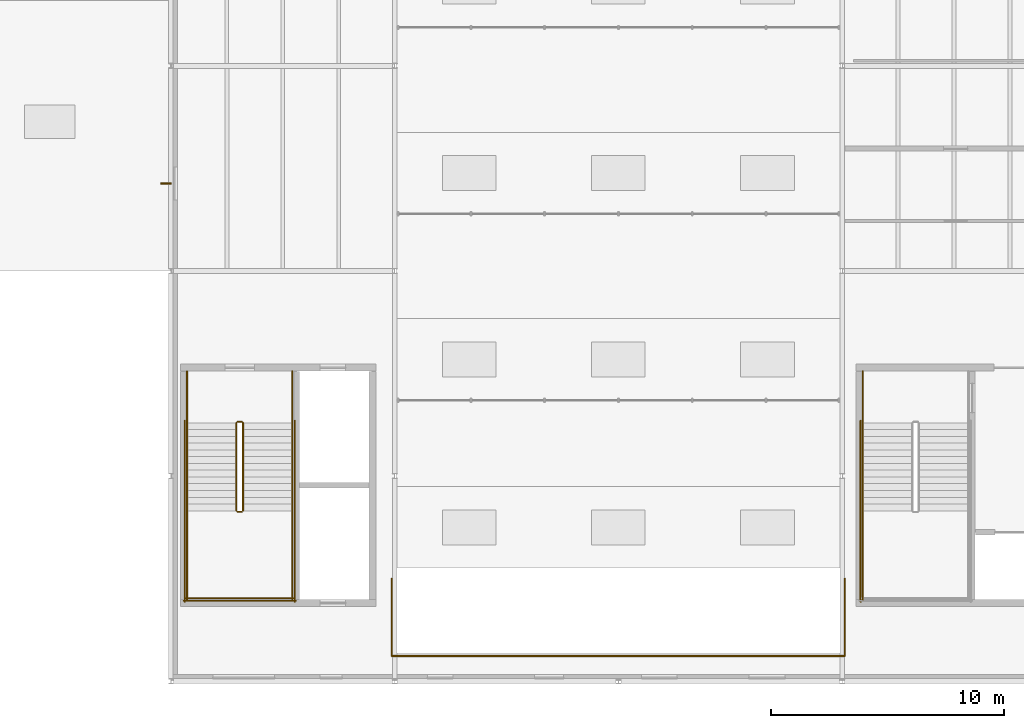
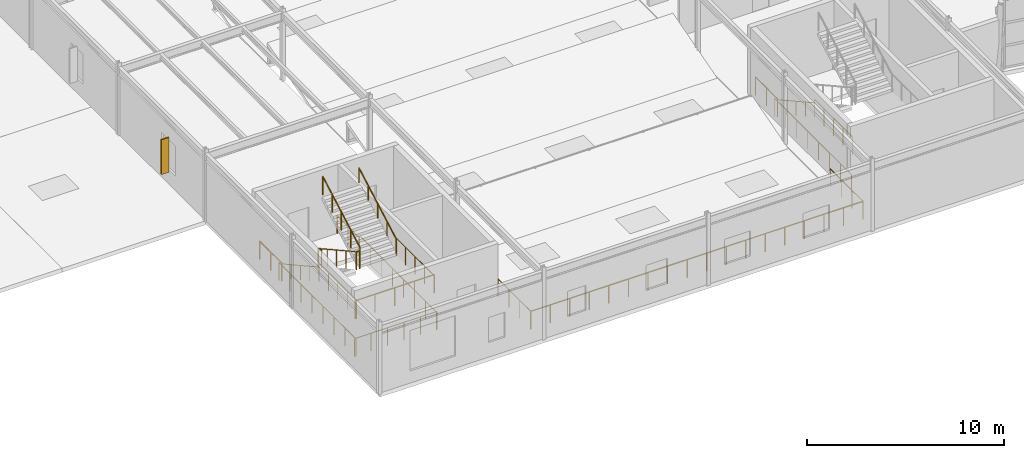
# One storey, part 45 of 50: 21 railings, 1 shading device.
"""IFC4 building model written with IfcOpenShell, lengths in metres."""

from ifc_helpers import new_model, si_unit, direction, frame, origin, origin_2d, place, context, subcontext, project, spatial, rectangle, circle, extrude, material, layer, layer_set, type_object, element, save


model = new_model("IFC4")

# Units and contexts
model_context = context("Model", 3, precision=1e-05, world=origin(), true_north=direction((0.0, 1.0)))
body_context = subcontext(model_context, "Body", "Model", "MODEL_VIEW")
ifc_project = project(units=[si_unit("LENGTHUNIT", "METRE"), si_unit("AREAUNIT", "SQUARE_METRE"), si_unit("VOLUMEUNIT", "CUBIC_METRE"), si_unit("PLANEANGLEUNIT", "RADIAN"), si_unit("MASSUNIT", "GRAM", prefix="KILO")], contexts=[model_context])

# Site, building, storey
site_placement = place(None, origin())
site = spatial("IfcSite", under=ifc_project, at=site_placement, CompositionType="ELEMENT")
building_placement = place(site_placement, origin())
building = spatial("IfcBuilding", under=site, at=building_placement, Name="Sarnbrook Museum", CompositionType="ELEMENT")
storey_placement = place(building_placement, frame((0.0, 0.0, 28.10009765625)))
storey = spatial("IfcBuildingStorey", under=building, at=storey_placement, Name="L05", CompositionType="ELEMENT", Elevation=28.10009765625)

# Railings
ifc_material_1 = material(Name="Brushed Stainless Steel Grade 316", Category="steel")
ifc_layer_1 = layer(ifc_material_1, 0.050048828125)
ifc_layer_set_1 = layer_set([ifc_layer_1], Name="Brushed Stainless Steel Grade 316")
railing_type_1 = type_object("IfcRailingType", Name="Guard_Int1120", PredefinedType="BALUSTRADE", material=ifc_layer_set_1)
railing_1_placement = place(storey_placement, frame((110.489990234375, 64.110107421875, 2.25)))
element("IfcRailing", 1, at=railing_1_placement, inside=storey, type_object=railing_type_1, Name="L05 ST1 stair guard 3", PredefinedType="BALUSTRADE", context=body_context, shape_type="SweptSolid", body=[
    extrude(circle(Radius=0.02392578125, at=origin_2d()), frame((0.0, 0.0, 1.09619140625), z_axis=(0.0, -1.0, 0.0), x_axis=(1.0, 0.0, 0.0)), (0.0, 0.0, 1.0), 3.81005859375),
    extrude(circle(Radius=0.02099609375, at=origin_2d()), origin(), (0.0, 0.0, 1.0), 1.072021484375),
    extrude(circle(Radius=0.02099609375, at=origin_2d()), frame((0.0, -0.95263671875, 0.0)), (0.0, 0.0, 1.0), 1.072021484375),
    extrude(circle(Radius=0.02099609375, at=origin_2d()), frame((0.0, -1.905029296875, 0.0)), (0.0, 0.0, 1.0), 1.072021484375),
    extrude(circle(Radius=0.02099609375, at=origin_2d()), frame((0.0, -2.857421875, 0.0)), (0.0, 0.0, 1.0), 1.072021484375),
    extrude(circle(Radius=0.02099609375, at=origin_2d()), frame((0.0, -3.81005859375, 0.0)), (0.0, 0.0, 1.0), 1.072021484375),
])
railing_2_placement = place(storey_placement, frame((110.489990234375, 70.10009765625, 0.0)))
element("IfcRailing", 2, at=railing_2_placement, inside=storey, type_object=railing_type_1, Name="L05 ST1 stair guard 8", PredefinedType="BALUSTRADE", context=body_context, shape_type="SweptSolid", body=[
    extrude(circle(Radius=0.02392578125, at=origin_2d()), frame((0.0, 0.0, 1.09619140625), z_axis=(0.0, -1.0, 0.0), x_axis=(1.0, 0.0, 0.0)), (0.0, 0.0, 1.0), 2.22021484375),
    extrude(circle(Radius=0.02099609375, at=origin_2d()), origin(), (0.0, 0.0, 1.0), 1.072021484375),
    extrude(circle(Radius=0.02099609375, at=origin_2d()), frame((0.0, -1.110107421875, 0.0)), (0.0, 0.0, 1.0), 1.072021484375),
    extrude(circle(Radius=0.02099609375, at=origin_2d()), frame((0.0, -2.22021484375, 0.0)), (0.0, 0.0, 1.0), 1.072021484375),
])
railing_3_placement = place(storey_placement, frame((110.389892578125, 67.97998046875, 0.0)))
element("IfcRailing", 3, at=railing_3_placement, inside=storey, type_object=railing_type_1, Name="L05 ST1 stair guard 10", PredefinedType="BALUSTRADE", context=body_context, shape_type="SweptSolid", body=[
    extrude(circle(Radius=0.02392578125, at=origin_2d()), frame((0.0, 0.0, 1.09619140625), z_axis=(0.0, -1.0, 0.0), x_axis=(1.0, 0.0, 0.0)), (0.0, 0.0, 1.0), 7.780029296875),
    extrude(circle(Radius=0.02099609375, at=origin_2d()), origin(), (0.0, 0.0, 1.0), 1.072021484375),
    extrude(circle(Radius=0.02099609375, at=origin_2d()), frame((0.0, -1.111328125, 0.0)), (0.0, 0.0, 1.0), 1.072021484375),
    extrude(circle(Radius=0.02099609375, at=origin_2d()), frame((0.0, -2.222900390625, 0.0)), (0.0, 0.0, 1.0), 1.072021484375),
    extrude(circle(Radius=0.02099609375, at=origin_2d()), frame((0.0, -3.334228515625, 0.0)), (0.0, 0.0, 1.0), 1.072021484375),
    extrude(circle(Radius=0.02099609375, at=origin_2d()), frame((0.0, -4.44580078125, 0.0)), (0.0, 0.0, 1.0), 1.072021484375),
    extrude(circle(Radius=0.02099609375, at=origin_2d()), frame((0.0, -5.55712890625, 0.0)), (0.0, 0.0, 1.0), 1.072021484375),
    extrude(circle(Radius=0.02099609375, at=origin_2d()), frame((0.0, -6.668701171875, 0.0)), (0.0, 0.0, 1.0), 1.072021484375),
    extrude(circle(Radius=0.02099609375, at=origin_2d()), frame((0.0, -7.780029296875, 0.0)), (0.0, 0.0, 1.0), 1.072021484375),
])
railing_4_placement = place(storey_placement, frame((83.610107421875, 67.8798828125, 0.16064453125)))
element("IfcRailing", 4, at=railing_4_placement, inside=storey, type_object=railing_type_1, Name="L05 ST3 stair guard 1", PredefinedType="BALUSTRADE", context=body_context, shape_type="SweptSolid", body=[
    extrude(circle(Radius=0.02392578125, at=origin_2d()), frame((0.0, 0.0, 1.09619140625), z_axis=(0.0, -0.874645791573, 0.484762559697), x_axis=(1.0, 0.0, 0.0)), (0.0, 0.0, 1.0), 4.31005859375),
    extrude(circle(Radius=0.02099609375, at=origin_2d()), origin(), (0.0, 0.0, 1.0), 1.072021484375),
    extrude(circle(Radius=0.02099609375, at=origin_2d()), frame((0.0, -0.9423828125, 0.5224609375)), (0.0, 0.0, 1.0), 1.072021484375),
    extrude(circle(Radius=0.02099609375, at=origin_2d()), frame((0.0, -1.884765625, 1.044677734375)), (0.0, 0.0, 1.0), 1.072021484375),
    extrude(circle(Radius=0.02099609375, at=origin_2d()), frame((0.0, -2.827392578125, 1.56689453125)), (0.0, 0.0, 1.0), 1.072021484375),
    extrude(circle(Radius=0.02099609375, at=origin_2d()), frame((0.0, -3.769775390625, 2.08935546875)), (0.0, 0.0, 1.0), 1.072021484375),
])
railing_5_placement = place(storey_placement, frame((83.659912109375, 64.06005859375, 2.25)))
element("IfcRailing", 5, at=railing_5_placement, inside=storey, type_object=railing_type_1, Name="L05 ST3 stair guard 2", PredefinedType="BALUSTRADE", context=body_context, shape_type="SweptSolid", body=[
    extrude(circle(Radius=0.02392578125, at=origin_2d()), frame((0.0, 0.0, 1.09619140625), z_axis=(1.0, 0.0, 0.0), x_axis=(0.0, 1.0, 0.0)), (0.0, 0.0, 1.0), 0.18017578125),
    extrude(circle(Radius=0.02099609375, at=origin_2d()), origin(), (0.0, 0.0, 1.0), 1.072021484375),
    extrude(circle(Radius=0.02099609375, at=origin_2d()), frame((0.18017578125, 0.0, 0.0)), (0.0, 0.0, 1.0), 1.072021484375),
])
for number, where, name in (
    (6, (81.489990234375, 64.110107421875, 2.25), "L05 ST3 stair guard 3"),
    (7, (86.010009765625, 64.110107421875, 2.25), "L05 ST3 stair guard 4"),
):
    element("IfcRailing", number, at=place(storey_placement, frame(where)), inside=storey, type_object=railing_type_1, Name=name, PredefinedType="BALUSTRADE", context=body_context, shape_type="SweptSolid", body=[
        extrude(circle(Radius=0.02392578125, at=origin_2d()), frame((0.0, 0.0, 1.09619140625), z_axis=(0.0, -1.0, 0.0), x_axis=(1.0, 0.0, 0.0)), (0.0, 0.0, 1.0), 3.81005859375),
        extrude(circle(Radius=0.02099609375, at=origin_2d()), origin(), (0.0, 0.0, 1.0), 1.072021484375),
        extrude(circle(Radius=0.02099609375, at=origin_2d()), frame((0.0, -0.95263671875, 0.0)), (0.0, 0.0, 1.0), 1.072021484375),
        extrude(circle(Radius=0.02099609375, at=origin_2d()), frame((0.0, -1.905029296875, 0.0)), (0.0, 0.0, 1.0), 1.072021484375),
        extrude(circle(Radius=0.02099609375, at=origin_2d()), frame((0.0, -2.857421875, 0.0)), (0.0, 0.0, 1.0), 1.072021484375),
        extrude(circle(Radius=0.02099609375, at=origin_2d()), frame((0.0, -3.81005859375, 0.0)), (0.0, 0.0, 1.0), 1.072021484375),
    ])
railing_6_placement = place(storey_placement, frame((81.43994140625, 60.35009765625, 2.25)))
element("IfcRailing", 8, at=railing_6_placement, inside=storey, type_object=railing_type_1, Name="L05 ST3 stair guard 5", PredefinedType="BALUSTRADE", context=body_context, shape_type="SweptSolid", body=[
    extrude(circle(Radius=0.02392578125, at=origin_2d()), frame((0.0, 0.0, 1.09619140625), z_axis=(1.0, 0.0, 0.0), x_axis=(0.0, 1.0, 0.0)), (0.0, 0.0, 1.0), 4.6201171875),
    extrude(circle(Radius=0.02099609375, at=origin_2d()), origin(), (0.0, 0.0, 1.0), 1.072021484375),
    extrude(circle(Radius=0.02099609375, at=origin_2d()), frame((1.155029296875, 0.0, 0.0)), (0.0, 0.0, 1.0), 1.072021484375),
    extrude(circle(Radius=0.02099609375, at=origin_2d()), frame((2.31005859375, 0.0, 0.0)), (0.0, 0.0, 1.0), 1.072021484375),
    extrude(circle(Radius=0.02099609375, at=origin_2d()), frame((3.465087890625, 0.0, 0.0)), (0.0, 0.0, 1.0), 1.072021484375),
    extrude(circle(Radius=0.02099609375, at=origin_2d()), frame((4.6201171875, 0.0, 0.0)), (0.0, 0.0, 1.0), 1.072021484375),
])
railing_7_placement = place(storey_placement, frame((83.889892578125, 64.110107421875, 2.41064453125)))
element("IfcRailing", 9, at=railing_7_placement, inside=storey, type_object=railing_type_1, Name="L05 ST3 stair guard 6", PredefinedType="BALUSTRADE", context=body_context, shape_type="SweptSolid", body=[
    extrude(circle(Radius=0.02392578125, at=origin_2d()), frame((0.0, 0.0, 1.09619140625), z_axis=(0.0, 0.874645791573, 0.484762559697), x_axis=(-1.0, 0.0, 0.0)), (0.0, 0.0, 1.0), 4.31005859375),
    extrude(circle(Radius=0.02099609375, at=origin_2d()), origin(), (0.0, 0.0, 1.0), 1.072021484375),
    extrude(circle(Radius=0.02099609375, at=origin_2d()), frame((0.0, 0.9423828125, 0.5224609375)), (0.0, 0.0, 1.0), 1.072021484375),
    extrude(circle(Radius=0.02099609375, at=origin_2d()), frame((0.0, 1.884765625, 1.044677734375)), (0.0, 0.0, 1.0), 1.072021484375),
    extrude(circle(Radius=0.02099609375, at=origin_2d()), frame((0.0, 2.827392578125, 1.56689453125)), (0.0, 0.0, 1.0), 1.072021484375),
    extrude(circle(Radius=0.02099609375, at=origin_2d()), frame((0.0, 3.769775390625, 2.08935546875)), (0.0, 0.0, 1.0), 1.072021484375),
])
railing_8_placement = place(storey_placement, frame((83.659912109375, 67.929931640625, 0.0)))
element("IfcRailing", 10, at=railing_8_placement, inside=storey, type_object=railing_type_1, Name="L05 ST3 stair guard 7", PredefinedType="BALUSTRADE", context=body_context, shape_type="SweptSolid", body=[
    extrude(circle(Radius=0.02392578125, at=origin_2d()), frame((0.0, 0.0, 1.09619140625), z_axis=(1.0, 0.0, 0.0), x_axis=(0.0, 1.0, 0.0)), (0.0, 0.0, 1.0), 0.18017578125),
    extrude(circle(Radius=0.02099609375, at=origin_2d()), origin(), (0.0, 0.0, 1.0), 1.072021484375),
    extrude(circle(Radius=0.02099609375, at=origin_2d()), frame((0.18017578125, 0.0, 0.0)), (0.0, 0.0, 1.0), 1.072021484375),
])
for number, where, name in (
    (11, (81.489990234375, 70.10009765625, 0.0), "L05 ST3 stair guard 8"),
    (12, (86.010009765625, 70.10009765625, 0.0), "L05 ST3 stair guard 9"),
):
    element("IfcRailing", number, at=place(storey_placement, frame(where)), inside=storey, type_object=railing_type_1, Name=name, PredefinedType="BALUSTRADE", context=body_context, shape_type="SweptSolid", body=[
        extrude(circle(Radius=0.02392578125, at=origin_2d()), frame((0.0, 0.0, 1.09619140625), z_axis=(0.0, -1.0, 0.0), x_axis=(1.0, 0.0, 0.0)), (0.0, 0.0, 1.0), 2.22021484375),
        extrude(circle(Radius=0.02099609375, at=origin_2d()), origin(), (0.0, 0.0, 1.0), 1.072021484375),
        extrude(circle(Radius=0.02099609375, at=origin_2d()), frame((0.0, -1.110107421875, 0.0)), (0.0, 0.0, 1.0), 1.072021484375),
        extrude(circle(Radius=0.02099609375, at=origin_2d()), frame((0.0, -2.22021484375, 0.0)), (0.0, 0.0, 1.0), 1.072021484375),
    ])
for number, where, name in (
    (13, (81.389892578125, 67.97998046875, 0.0), "L05 ST3 stair guard 10"),
    (14, (86.110107421875, 67.97998046875, 0.0), "L05 ST3 stair guard 11"),
):
    element("IfcRailing", number, at=place(storey_placement, frame(where)), inside=storey, type_object=railing_type_1, Name=name, PredefinedType="BALUSTRADE", context=body_context, shape_type="SweptSolid", body=[
        extrude(circle(Radius=0.02392578125, at=origin_2d()), frame((0.0, 0.0, 1.09619140625), z_axis=(0.0, -1.0, 0.0), x_axis=(1.0, 0.0, 0.0)), (0.0, 0.0, 1.0), 7.780029296875),
        extrude(circle(Radius=0.02099609375, at=origin_2d()), origin(), (0.0, 0.0, 1.0), 1.072021484375),
        extrude(circle(Radius=0.02099609375, at=origin_2d()), frame((0.0, -1.111328125, 0.0)), (0.0, 0.0, 1.0), 1.072021484375),
        extrude(circle(Radius=0.02099609375, at=origin_2d()), frame((0.0, -2.222900390625, 0.0)), (0.0, 0.0, 1.0), 1.072021484375),
        extrude(circle(Radius=0.02099609375, at=origin_2d()), frame((0.0, -3.334228515625, 0.0)), (0.0, 0.0, 1.0), 1.072021484375),
        extrude(circle(Radius=0.02099609375, at=origin_2d()), frame((0.0, -4.44580078125, 0.0)), (0.0, 0.0, 1.0), 1.072021484375),
        extrude(circle(Radius=0.02099609375, at=origin_2d()), frame((0.0, -5.55712890625, 0.0)), (0.0, 0.0, 1.0), 1.072021484375),
        extrude(circle(Radius=0.02099609375, at=origin_2d()), frame((0.0, -6.668701171875, 0.0)), (0.0, 0.0, 1.0), 1.072021484375),
        extrude(circle(Radius=0.02099609375, at=origin_2d()), frame((0.0, -7.780029296875, 0.0)), (0.0, 0.0, 1.0), 1.072021484375),
    ])
railing_9_placement = place(storey_placement, frame((81.340087890625, 60.25, 0.0)))
element("IfcRailing", 15, at=railing_9_placement, inside=storey, type_object=railing_type_1, Name="L05 ST3 stair guard 12", PredefinedType="BALUSTRADE", context=body_context, shape_type="SweptSolid", body=[
    extrude(circle(Radius=0.02392578125, at=origin_2d()), frame((0.0, 0.0, 1.09619140625), z_axis=(1.0, 0.0, 0.0), x_axis=(0.0, 1.0, 0.0)), (0.0, 0.0, 1.0), 4.81982421875),
    extrude(circle(Radius=0.02099609375, at=origin_2d()), origin(), (0.0, 0.0, 1.0), 1.072021484375),
    extrude(circle(Radius=0.02099609375, at=origin_2d()), frame((0.9638671875, 0.0, 0.0)), (0.0, 0.0, 1.0), 1.072021484375),
    extrude(circle(Radius=0.02099609375, at=origin_2d()), frame((1.927978515625, 0.0, 0.0)), (0.0, 0.0, 1.0), 1.072021484375),
    extrude(circle(Radius=0.02099609375, at=origin_2d()), frame((2.891845703125, 0.0, 0.0)), (0.0, 0.0, 1.0), 1.072021484375),
    extrude(circle(Radius=0.02099609375, at=origin_2d()), frame((3.85595703125, 0.0, 0.0)), (0.0, 0.0, 1.0), 1.072021484375),
    extrude(circle(Radius=0.02099609375, at=origin_2d()), frame((4.81982421875, 0.0, 0.0)), (0.0, 0.0, 1.0), 1.072021484375),
])
railing_10_placement = place(storey_placement, frame((90.280029296875, 61.199951171875, 0.0)))
element("IfcRailing", 16, at=railing_10_placement, inside=storey, type_object=railing_type_1, Name="Upper Atrium Void Balustrade L05-1", PredefinedType="BALUSTRADE", context=body_context, shape_type="SweptSolid", body=[
    extrude(circle(Radius=0.02392578125, at=origin_2d()), frame((0.0, 0.0, 1.09619140625), z_axis=(0.0, -1.0, 0.0), x_axis=(1.0, 0.0, 0.0)), (0.0, 0.0, 1.0), 3.320068359375),
    extrude(circle(Radius=0.02099609375, at=origin_2d()), origin(), (0.0, 0.0, 1.0), 1.072021484375),
    extrude(circle(Radius=0.02099609375, at=origin_2d()), frame((0.0, -1.106689453125, 0.0)), (0.0, 0.0, 1.0), 1.072021484375),
    extrude(circle(Radius=0.02099609375, at=origin_2d()), frame((0.0, -2.21337890625, 0.0)), (0.0, 0.0, 1.0), 1.072021484375),
    extrude(circle(Radius=0.02099609375, at=origin_2d()), frame((0.0, -3.320068359375, 0.0)), (0.0, 0.0, 1.0), 1.072021484375),
])
railing_11_placement = place(storey_placement, frame((90.280029296875, 57.8798828125, 0.0)))
element("IfcRailing", 17, at=railing_11_placement, inside=storey, type_object=railing_type_1, Name="Upper Atrium Void Balustrade L05-2", PredefinedType="BALUSTRADE", context=body_context, shape_type="SweptSolid", body=[
    extrude(circle(Radius=0.02392578125, at=origin_2d()), frame((0.0, 0.0, 1.09619140625), z_axis=(1.0, 0.0, 0.0), x_axis=(0.0, 1.0, 0.0)), (0.0, 0.0, 1.0), 19.43994140625),
    extrude(circle(Radius=0.02099609375, at=origin_2d()), origin(), (0.0, 0.0, 1.0), 1.072021484375),
    extrude(circle(Radius=0.02099609375, at=origin_2d()), frame((1.1435546875, 0.0, 0.0)), (0.0, 0.0, 1.0), 1.072021484375),
    extrude(circle(Radius=0.02099609375, at=origin_2d()), frame((2.287109375, 0.0, 0.0)), (0.0, 0.0, 1.0), 1.072021484375),
    extrude(circle(Radius=0.02099609375, at=origin_2d()), frame((3.4306640625, 0.0, 0.0)), (0.0, 0.0, 1.0), 1.072021484375),
    extrude(circle(Radius=0.02099609375, at=origin_2d()), frame((4.57421875, 0.0, 0.0)), (0.0, 0.0, 1.0), 1.072021484375),
    extrude(circle(Radius=0.02099609375, at=origin_2d()), frame((5.717529296875, 0.0, 0.0)), (0.0, 0.0, 1.0), 1.072021484375),
    extrude(circle(Radius=0.02099609375, at=origin_2d()), frame((6.861083984375, 0.0, 0.0)), (0.0, 0.0, 1.0), 1.072021484375),
    extrude(circle(Radius=0.02099609375, at=origin_2d()), frame((8.004638671875, 0.0, 0.0)), (0.0, 0.0, 1.0), 1.072021484375),
    extrude(circle(Radius=0.02099609375, at=origin_2d()), frame((9.148193359375, 0.0, 0.0)), (0.0, 0.0, 1.0), 1.072021484375),
    extrude(circle(Radius=0.02099609375, at=origin_2d()), frame((10.291748046875, 0.0, 0.0)), (0.0, 0.0, 1.0), 1.072021484375),
    extrude(circle(Radius=0.02099609375, at=origin_2d()), frame((11.435302734375, 0.0, 0.0)), (0.0, 0.0, 1.0), 1.072021484375),
    extrude(circle(Radius=0.02099609375, at=origin_2d()), frame((12.578857421875, 0.0, 0.0)), (0.0, 0.0, 1.0), 1.072021484375),
    extrude(circle(Radius=0.02099609375, at=origin_2d()), frame((13.722412109375, 0.0, 0.0)), (0.0, 0.0, 1.0), 1.072021484375),
    extrude(circle(Radius=0.02099609375, at=origin_2d()), frame((14.86572265625, 0.0, 0.0)), (0.0, 0.0, 1.0), 1.072021484375),
    extrude(circle(Radius=0.02099609375, at=origin_2d()), frame((16.00927734375, 0.0, 0.0)), (0.0, 0.0, 1.0), 1.072021484375),
    extrude(circle(Radius=0.02099609375, at=origin_2d()), frame((17.15283203125, 0.0, 0.0)), (0.0, 0.0, 1.0), 1.072021484375),
    extrude(circle(Radius=0.02099609375, at=origin_2d()), frame((18.29638671875, 0.0, 0.0)), (0.0, 0.0, 1.0), 1.072021484375),
    extrude(circle(Radius=0.02099609375, at=origin_2d()), frame((19.43994140625, 0.0, 0.0)), (0.0, 0.0, 1.0), 1.072021484375),
])
railing_12_placement = place(storey_placement, frame((109.719970703125, 57.8798828125, 0.0)))
element("IfcRailing", 18, at=railing_12_placement, inside=storey, type_object=railing_type_1, Name="Upper Atrium Void Balustrade L05-3", PredefinedType="BALUSTRADE", context=body_context, shape_type="SweptSolid", body=[
    extrude(circle(Radius=0.02392578125, at=origin_2d()), frame((0.0, 0.0, 1.09619140625), z_axis=(0.0, 1.0, 0.0), x_axis=(-1.0, 0.0, 0.0)), (0.0, 0.0, 1.0), 3.320068359375),
    extrude(circle(Radius=0.02099609375, at=origin_2d()), origin(), (0.0, 0.0, 1.0), 1.072021484375),
    extrude(circle(Radius=0.02099609375, at=origin_2d()), frame((0.0, 1.106689453125, 0.0)), (0.0, 0.0, 1.0), 1.072021484375),
    extrude(circle(Radius=0.02099609375, at=origin_2d()), frame((0.0, 2.21337890625, 0.0)), (0.0, 0.0, 1.0), 1.072021484375),
    extrude(circle(Radius=0.02099609375, at=origin_2d()), frame((0.0, 3.320068359375, 0.0)), (0.0, 0.0, 1.0), 1.072021484375),
])
ifc_layer_2 = layer(ifc_material_1, 0.048095703125)
ifc_layer_set_2 = layer_set([ifc_layer_2], Name="Brushed Stainless Steel Grade 316")
railing_type_2 = type_object("IfcRailingType", Name="Handrail_920", PredefinedType="HANDRAIL", material=ifc_layer_set_2)
for number, where, name in (
    (19, (110.489990234375, 67.8798828125, 0.16064453125), "L05 ST1 stair handrail 1"),
    (20, (81.489990234375, 67.8798828125, 0.16064453125), "L05 ST3 stair handrail 1"),
):
    element("IfcRailing", number, at=place(storey_placement, frame(where)), inside=storey, type_object=railing_type_2, Name=name, PredefinedType="HANDRAIL", context=body_context, shape_type="SweptSolid", body=[
        extrude(circle(Radius=0.02392578125, at=origin_2d()), frame((0.0, 0.0, 0.8857421875), z_axis=(0.0, -0.874645791573, 0.484762559697), x_axis=(1.0, 0.0, 0.0)), (0.0, 0.0, 1.0), 4.31005859375),
        extrude(circle(Radius=0.02099609375, at=origin_2d()), origin(), (0.0, 0.0, 1.0), 0.86181640625),
        extrude(circle(Radius=0.02099609375, at=origin_2d()), frame((0.0, -0.9423828125, 0.5224609375)), (0.0, 0.0, 1.0), 0.86181640625),
        extrude(circle(Radius=0.02099609375, at=origin_2d()), frame((0.0, -1.884765625, 1.044677734375)), (0.0, 0.0, 1.0), 0.86181640625),
        extrude(circle(Radius=0.02099609375, at=origin_2d()), frame((0.0, -2.827392578125, 1.56689453125)), (0.0, 0.0, 1.0), 0.86181640625),
        extrude(circle(Radius=0.02099609375, at=origin_2d()), frame((0.0, -3.769775390625, 2.08935546875)), (0.0, 0.0, 1.0), 0.86181640625),
    ])
railing_13_placement = place(storey_placement, frame((86.010009765625, 64.110107421875, 2.41064453125)))
element("IfcRailing", 21, at=railing_13_placement, inside=storey, type_object=railing_type_2, Name="L05 ST3 stair handrail 2", PredefinedType="HANDRAIL", context=body_context, shape_type="SweptSolid", body=[
    extrude(circle(Radius=0.02392578125, at=origin_2d()), frame((0.0, 0.0, 0.8857421875), z_axis=(0.0, 0.874645791573, 0.484762559697), x_axis=(-1.0, 0.0, 0.0)), (0.0, 0.0, 1.0), 4.31005859375),
    extrude(circle(Radius=0.02099609375, at=origin_2d()), origin(), (0.0, 0.0, 1.0), 0.86181640625),
    extrude(circle(Radius=0.02099609375, at=origin_2d()), frame((0.0, 0.9423828125, 0.5224609375)), (0.0, 0.0, 1.0), 0.86181640625),
    extrude(circle(Radius=0.02099609375, at=origin_2d()), frame((0.0, 1.884765625, 1.044677734375)), (0.0, 0.0, 1.0), 0.86181640625),
    extrude(circle(Radius=0.02099609375, at=origin_2d()), frame((0.0, 2.827392578125, 1.56689453125)), (0.0, 0.0, 1.0), 0.86181640625),
    extrude(circle(Radius=0.02099609375, at=origin_2d()), frame((0.0, 3.769775390625, 2.08935546875)), (0.0, 0.0, 1.0), 0.86181640625),
])

# Shading device
ifc_material_2 = material(Name="Patinated Architectural Bronze")
shading_device_type = type_object("IfcShadingDeviceType", Name="SunFin_VerticalBronze", PredefinedType="USERDEFINED", material=ifc_material_2)
shading_device_placement = place(storey_placement, frame((80.580078125, 78.154052734375, 0.75), z_axis=(0.0, 0.0, 1.0), x_axis=(1.0, 0.0, 0.0)))
element("IfcShadingDevice", 22, at=shading_device_placement, inside=storey, type_object=shading_device_type, Name="Vertical Bronze Sun-Shading Fin SF-020", ObjectType="FIN", PredefinedType="USERDEFINED", context=body_context, shape_type="SweptSolid", body=[
    extrude(rectangle(XDim=0.449951171875, YDim=0.080078125, at=origin_2d()), origin(), (0.0, 0.0, 1.0), 2.14990234375),
])

save(model, "model.ifc")
